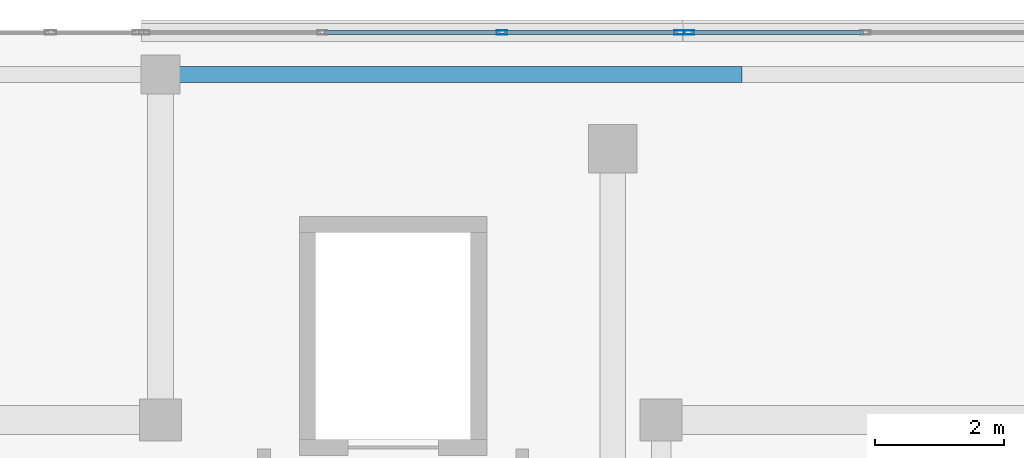
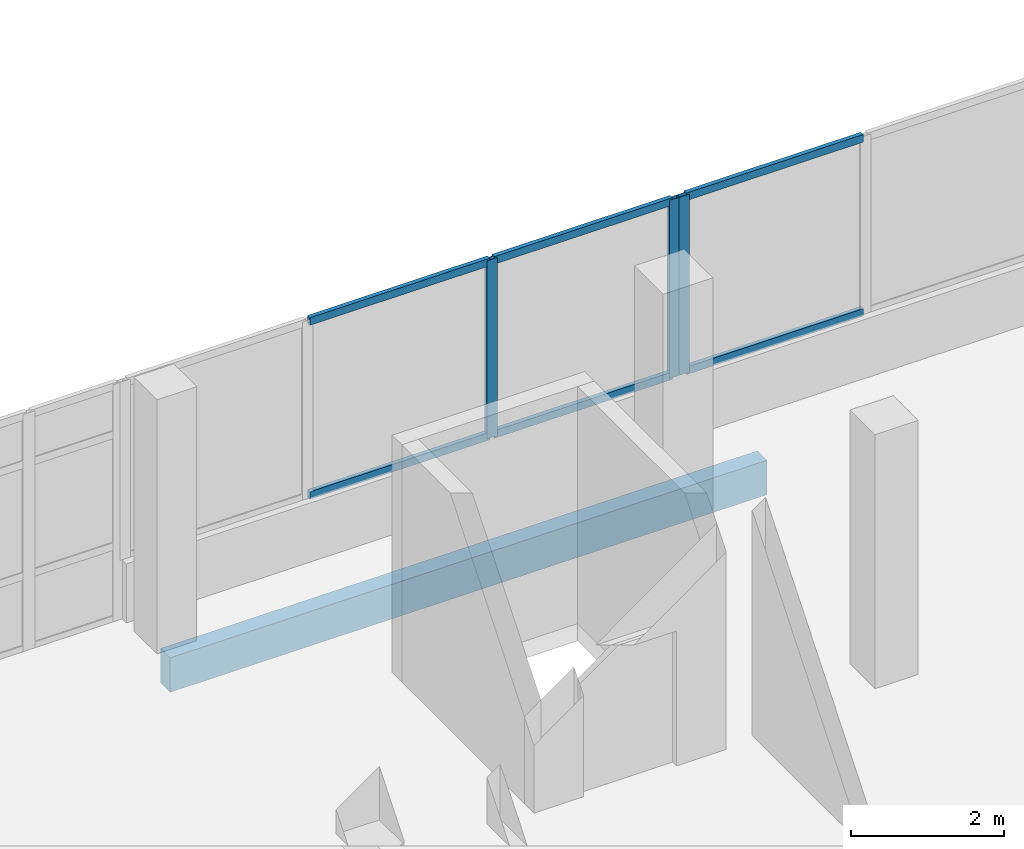
# One storey, part 44 of 76: 9 members, 1 beam, 2 elements without a shape of their own.
"""IFC4 building model written with IfcOpenShell, lengths in metres."""

from ifc_helpers import new_model, si_unit, direction, frame, origin, origin_2d, place, context, subcontext, project, spatial, rectangle, hollow_rectangle, extrude, material, material_profile, profile_set, type_object, element, aggregate, save


model = new_model("IFC4")

# Units and contexts
model_context = context("Model", 3, precision=1e-05, world=origin(), true_north=direction((0.0, 1.0)))
body_context = subcontext(model_context, "Body", "Model", "MODEL_VIEW")
ifc_project = project(units=[si_unit("LENGTHUNIT", "METRE"), si_unit("AREAUNIT", "SQUARE_METRE"), si_unit("VOLUMEUNIT", "CUBIC_METRE"), si_unit("PLANEANGLEUNIT", "RADIAN"), si_unit("MASSUNIT", "GRAM", prefix="KILO")], contexts=[model_context])

# Site, building, storey
site_placement = place(None, origin())
site = spatial("IfcSite", under=ifc_project, at=site_placement, CompositionType="ELEMENT")
building_placement = place(site_placement, origin())
building = spatial("IfcBuilding", under=site, at=building_placement, Name="Selatvlak General Hospital", CompositionType="ELEMENT")
storey_placement = place(building_placement, frame((0.0, 0.0, 27.300048828125)))
storey = spatial("IfcBuildingStorey", under=building, at=storey_placement, Name="L06", CompositionType="ELEMENT", Elevation=27.300048828125)

# Beam
ifc_material_1 = material(Name="Concrete C40/50", Category="concrete")
ifc_material_profile_1 = material_profile(ifc_material_1, rectangle(XDim=0.25, YDim=0.550048828125, at=origin_2d()), Name="RC-SP 250x550")
ifc_profile_set_1 = profile_set([ifc_material_profile_1], Name="Concrete C40/50")
beam_type = type_object("IfcBeamType", Name="BM-SP2", PredefinedType="SPANDREL", material=ifc_profile_set_1)
beam_placement = place(storey_placement, frame((140.39990234375, 119.35009765625, -0.550048828125), z_axis=(1.0, 0.0, 0.0), x_axis=(0.0, 1.0, 0.0)))
element("IfcBeam", 1, at=beam_placement, inside=storey, type_object=beam_type, Name="Beam BMR-L06-2240", PredefinedType="SPANDREL", context=body_context, shape_type="SweptSolid", body=[
    extrude(rectangle(XDim=0.25, YDim=0.550048828125, at=origin_2d()), origin(), (0.0, 0.0, 1.0), 9.0),
])

# Curtain wall, members
ifc_material_2 = material(Name="Solar-control Low-E double glazing", Category="glass")
curtain_wall_type_1 = type_object("IfcCurtainWallType", Name="CW-CW-02", PredefinedType="USERDEFINED", material=ifc_material_2)
curtain_wall_1_placement = place(storey_placement, origin())
curtain_wall_1 = element("IfcCurtainWall", 2, at=curtain_wall_1_placement, inside=storey, type_object=curtain_wall_type_1, Name="Glazed facade curtain wall CW-L06-0612", ObjectType="UNITISED CURTAIN WALL", PredefinedType="USERDEFINED")
ifc_material_3 = material(Name="Dark anodised aluminium mullion", Category="aluminium")
ifc_material_profile_2 = material_profile(ifc_material_3, hollow_rectangle(XDim=0.06494140625, YDim=0.159912109375, WallThickness=0.00390625, at=origin_2d()), Name="AL-MUL 65x160x4")
ifc_profile_set_2 = profile_set([ifc_material_profile_2], Name="Dark anodised aluminium mullion")
member_type_1 = type_object("IfcMemberType", Name="CWM-01", PredefinedType="MULLION", material=ifc_profile_set_2)
member_1_placement = place(storey_placement, frame((145.685302734375, 120.0, 0.93994140625), z_axis=(0.0, 0.0, 1.0), x_axis=(0.0, 1.0, 0.0)))
member_1 = element("IfcMember", 3, at=member_1_placement, type_object=member_type_1, Name="CW-02 mullion 3", PredefinedType="MULLION", context=body_context, shape_type="SweptSolid", body=[
    extrude(hollow_rectangle(XDim=0.06494140625, YDim=0.159912109375, WallThickness=0.00390625, at=origin_2d()), origin(), (0.0, 0.0, 1.0), 2.840087890625),
])
member_2_placement = place(storey_placement, frame((148.435546875, 120.0, 0.93994140625), z_axis=(0.0, 0.0, 1.0), x_axis=(0.0, 1.0, 0.0)))
member_2 = element("IfcMember", 4, at=member_2_placement, type_object=member_type_1, Name="CW-02 mullion 4", PredefinedType="MULLION", context=body_context, shape_type="SweptSolid", body=[
    extrude(hollow_rectangle(XDim=0.06494140625, YDim=0.159912109375, WallThickness=0.00390625, at=origin_2d()), origin(), (0.0, 0.0, 1.0), 2.840087890625),
])

# Curtain wall, member
curtain_wall_type_2 = type_object("IfcCurtainWallType", Name="CW-CW-01", PredefinedType="USERDEFINED", material=ifc_material_2)
curtain_wall_2_placement = place(storey_placement, origin())
curtain_wall_2 = element("IfcCurtainWall", 5, at=curtain_wall_2_placement, inside=storey, type_object=curtain_wall_type_2, Name="Glazed facade curtain wall CW-L06-0613", ObjectType="UNITISED CURTAIN WALL", PredefinedType="USERDEFINED")
member_3_placement = place(storey_placement, frame((148.58056640625, 120.0, 0.93994140625), z_axis=(0.0, 0.0, 1.0), x_axis=(0.0, 1.0, 0.0)))
member_3 = element("IfcMember", 6, at=member_3_placement, type_object=member_type_1, Name="CW-01 mullion 1", PredefinedType="MULLION", context=body_context, shape_type="SweptSolid", body=[
    extrude(hollow_rectangle(XDim=0.06494140625, YDim=0.159912109375, WallThickness=0.00390625, at=origin_2d()), origin(), (0.0, 0.0, 1.0), 2.840087890625),
])

# Member
ifc_material_profile_3 = material_profile(ifc_material_3, hollow_rectangle(XDim=0.06494140625, YDim=0.1201171875, WallThickness=0.00390625, at=origin_2d()), Name="AL-TRN 65x120x4")
ifc_profile_set_3 = profile_set([ifc_material_profile_3], Name="Dark anodised aluminium mullion")
member_type_2 = type_object("IfcMemberType", Name="CWT-01", PredefinedType="USERDEFINED", material=ifc_profile_set_3)
member_4_placement = place(storey_placement, frame((142.93505859375, 120.0, 0.972412109375), z_axis=(1.0, 0.0, 0.0), x_axis=(0.0, 1.0, 0.0)))
member_4 = element("IfcMember", 7, at=member_4_placement, type_object=member_type_2, Name="CW-02 transom 2.1", ObjectType="TRANSOM", PredefinedType="USERDEFINED", context=body_context, shape_type="SweptSolid", body=[
    extrude(hollow_rectangle(XDim=0.06494140625, YDim=0.1201171875, WallThickness=0.00390625, at=origin_2d()), origin(), (0.0, 0.0, 1.0), 2.7177734375),
])

member_5_placement = place(storey_placement, frame((142.93505859375, 120.0, 3.74755859375), z_axis=(1.0, 0.0, 0.0), x_axis=(0.0, 1.0, 0.0)))
member_5 = element("IfcMember", 8, at=member_5_placement, type_object=member_type_2, Name="CW-02 transom 2.2", ObjectType="TRANSOM", PredefinedType="USERDEFINED", context=body_context, shape_type="SweptSolid", body=[
    extrude(hollow_rectangle(XDim=0.06494140625, YDim=0.1201171875, WallThickness=0.00390625, at=origin_2d()), origin(), (0.0, 0.0, 1.0), 2.7177734375),
])

member_6_placement = place(storey_placement, frame((145.7177734375, 120.0, 0.972412109375), z_axis=(1.0, 0.0, 0.0), x_axis=(0.0, 1.0, 0.0)))
member_6 = element("IfcMember", 9, at=member_6_placement, type_object=member_type_2, Name="CW-02 transom 3.1", ObjectType="TRANSOM", PredefinedType="USERDEFINED", context=body_context, shape_type="SweptSolid", body=[
    extrude(hollow_rectangle(XDim=0.06494140625, YDim=0.1201171875, WallThickness=0.00390625, at=origin_2d()), origin(), (0.0, 0.0, 1.0), 2.685302734375),
])

member_7_placement = place(storey_placement, frame((145.7177734375, 120.0, 3.74755859375), z_axis=(1.0, 0.0, 0.0), x_axis=(0.0, 1.0, 0.0)))
member_7 = element("IfcMember", 10, at=member_7_placement, type_object=member_type_2, Name="CW-02 transom 3.2", ObjectType="TRANSOM", PredefinedType="USERDEFINED", context=body_context, shape_type="SweptSolid", body=[
    extrude(hollow_rectangle(XDim=0.06494140625, YDim=0.1201171875, WallThickness=0.00390625, at=origin_2d()), origin(), (0.0, 0.0, 1.0), 2.685302734375),
])

aggregate(curtain_wall_1, [member_1, member_2, member_4, member_5, member_6, member_7])

member_8_placement = place(storey_placement, frame((148.613037109375, 120.0, 0.972412109375), z_axis=(1.0, 0.0, 0.0), x_axis=(0.0, 1.0, 0.0)))
member_8 = element("IfcMember", 11, at=member_8_placement, type_object=member_type_2, Name="CW-01 transom 1.1", ObjectType="TRANSOM", PredefinedType="USERDEFINED", context=body_context, shape_type="SweptSolid", body=[
    extrude(hollow_rectangle(XDim=0.06494140625, YDim=0.1201171875, WallThickness=0.00390625, at=origin_2d()), origin(), (0.0, 0.0, 1.0), 2.668701171875),
])

member_9_placement = place(storey_placement, frame((148.613037109375, 120.0, 3.74755859375), z_axis=(1.0, 0.0, 0.0), x_axis=(0.0, 1.0, 0.0)))
member_9 = element("IfcMember", 12, at=member_9_placement, type_object=member_type_2, Name="CW-01 transom 1.2", ObjectType="TRANSOM", PredefinedType="USERDEFINED", context=body_context, shape_type="SweptSolid", body=[
    extrude(hollow_rectangle(XDim=0.06494140625, YDim=0.1201171875, WallThickness=0.00390625, at=origin_2d()), origin(), (0.0, 0.0, 1.0), 2.668701171875),
])

aggregate(curtain_wall_2, [member_3, member_8, member_9])

save(model, "model.ifc")
